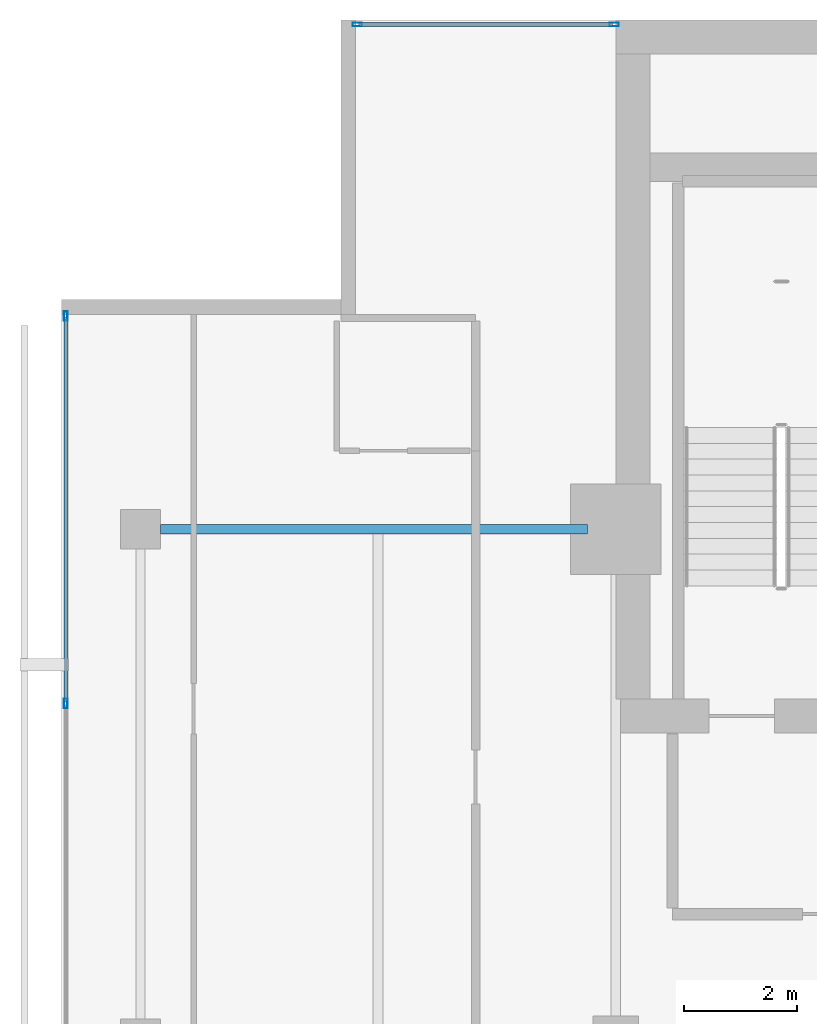
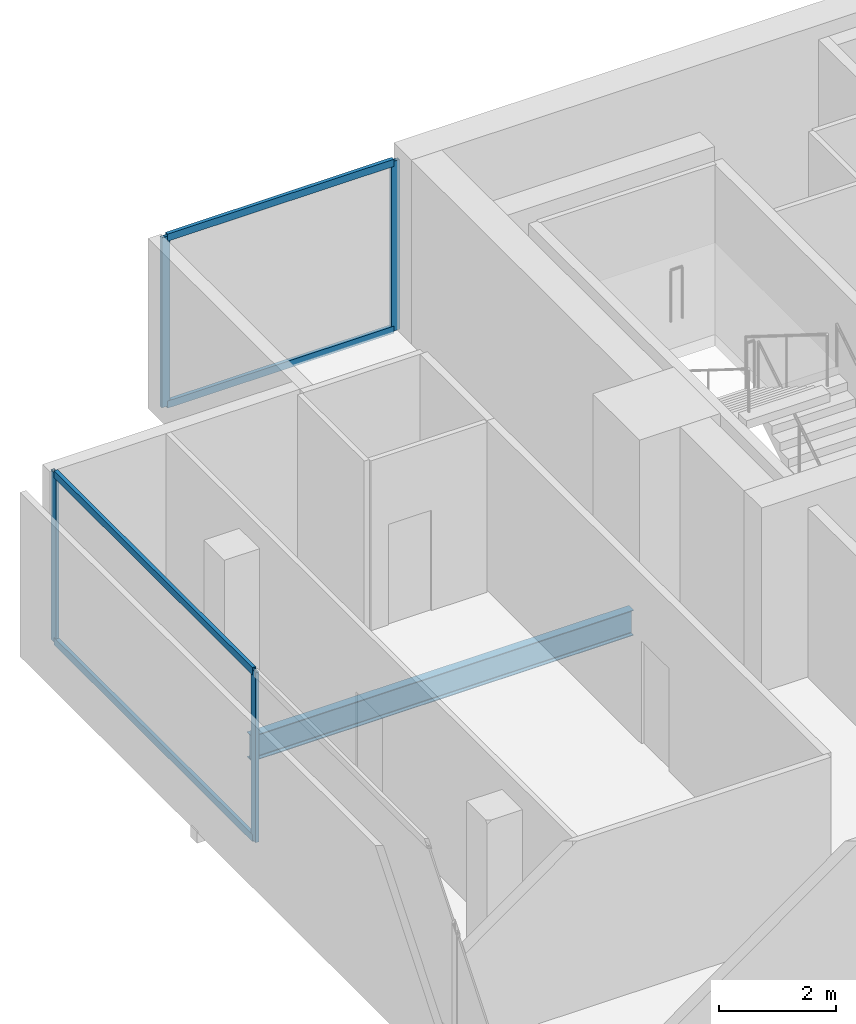
# One storey, part 16 of 26: 8 members, 1 beam, 2 elements without a shape of their own.
"""IFC4 building model written with IfcOpenShell, lengths in metres."""

from ifc_helpers import new_model, si_unit, direction, frame, origin, origin_2d, place, context, subcontext, project, spatial, hollow_rectangle, i_section, extrude, material, layer, layer_set, material_profile, profile_set, type_object, element, aggregate, save


model = new_model("IFC4")

# Units and contexts
model_context = context("Model", 3, precision=1e-05, world=origin(), true_north=direction((0.0, 1.0)))
body_context = subcontext(model_context, "Body", "Model", "MODEL_VIEW")
ifc_project = project(units=[si_unit("LENGTHUNIT", "METRE"), si_unit("AREAUNIT", "SQUARE_METRE"), si_unit("VOLUMEUNIT", "CUBIC_METRE"), si_unit("PLANEANGLEUNIT", "RADIAN"), si_unit("MASSUNIT", "GRAM", prefix="KILO")], contexts=[model_context])

# Site, building, storey
site_placement = place(None, origin())
site = spatial("IfcSite", under=ifc_project, at=site_placement, CompositionType="ELEMENT")
building_placement = place(site_placement, origin())
building = spatial("IfcBuilding", under=site, at=building_placement, Name="Maruvema Waterfront Hotel and Observation Tower", CompositionType="ELEMENT")
storey_placement = place(building_placement, frame((0.0, 0.0, 312.550048828125)))
storey = spatial("IfcBuildingStorey", under=building, at=storey_placement, Name="L77", CompositionType="ELEMENT", Elevation=312.550048828125)

# Curtain wall, members
ifc_material_1 = material(Name="Anodised bronze aluminium and solar-control low-E IGU", Category="aluminium")
ifc_layer = layer(ifc_material_1, 0.159912109375, Name="Zone 3 Champagne Inner Thermal Curtain Wall System CW-04")
ifc_layer_set = layer_set([ifc_layer], Name="Anodised bronze aluminium and solar-control low-E IGU")
curtain_wall_type = type_object("IfcCurtainWallType", Name="Zone 3 Champagne Inner Thermal Curtain Wall System CW-04", PredefinedType="USERDEFINED", material=ifc_layer_set)
curtain_wall_1_placement = place(storey_placement, origin())
curtain_wall_1 = element("IfcCurtainWall", 1, at=curtain_wall_1_placement, inside=storey, type_object=curtain_wall_type, Name="L77 Curtain Wall CW-L77-W", ObjectType="UNITISED CURTAIN WALL", PredefinedType="USERDEFINED")
ifc_material_2 = material(Name="Anodised architectural bronze aluminium", Category="aluminium")
ifc_material_profile_1 = material_profile(ifc_material_2, hollow_rectangle(XDim=0.070068359375, YDim=0.14990234375, WallThickness=0.00390625, at=origin_2d()), Name="ALU-T70x150")
ifc_profile_set_1 = profile_set([ifc_material_profile_1], Name="Anodised architectural bronze aluminium")
member_type_1 = type_object("IfcMemberType", Name="Curtain Wall Horizontal Transom ALU-T70x150", PredefinedType="USERDEFINED", material=ifc_profile_set_1)
member_1_placement = place(storey_placement, frame((15.47998046875, 48.739990234375, 0.030029296875), z_axis=(0.0, -1.0, 0.0), x_axis=(1.0, 0.0, 0.0)))
member_1 = element("IfcMember", 2, at=member_1_placement, type_object=member_type_1, Name="CW-04 transom 1.1", ObjectType="TRANSOM", PredefinedType="USERDEFINED", context=body_context, shape_type="SweptSolid", body=[
    extrude(hollow_rectangle(XDim=0.070068359375, YDim=0.14990234375, WallThickness=0.00390625, at=origin_2d()), origin(), (0.0, 0.0, 1.0), 6.7900390625),
])
member_2_placement = place(storey_placement, frame((15.47998046875, 48.739990234375, 3.52001953125), z_axis=(0.0, -1.0, 0.0), x_axis=(1.0, 0.0, 0.0)))
member_2 = element("IfcMember", 3, at=member_2_placement, type_object=member_type_1, Name="CW-04 transom 1.2", ObjectType="TRANSOM", PredefinedType="USERDEFINED", context=body_context, shape_type="SweptSolid", body=[
    extrude(hollow_rectangle(XDim=0.070068359375, YDim=0.14990234375, WallThickness=0.00390625, at=origin_2d()), origin(), (0.0, 0.0, 1.0), 6.7900390625),
])

curtain_wall_2_placement = place(storey_placement, origin())
curtain_wall_2 = element("IfcCurtainWall", 4, at=curtain_wall_2_placement, inside=storey, type_object=curtain_wall_type, Name="L77 Curtain Wall CW-L77-NW", ObjectType="UNITISED CURTAIN WALL", PredefinedType="USERDEFINED")
member_3_placement = place(storey_placement, frame((25.139892578125, 53.919921875, 0.030029296875), z_axis=(-1.0, 0.0, 0.0), x_axis=(0.0, -1.0, 0.0)))
member_3 = element("IfcMember", 5, at=member_3_placement, type_object=member_type_1, Name="CW-04 transom 1.1", ObjectType="TRANSOM", PredefinedType="USERDEFINED", context=body_context, shape_type="SweptSolid", body=[
    extrude(hollow_rectangle(XDim=0.070068359375, YDim=0.14990234375, WallThickness=0.00390625, at=origin_2d()), origin(), (0.0, 0.0, 1.0), 4.47998046875),
])
member_4_placement = place(storey_placement, frame((25.139892578125, 53.919921875, 3.52001953125), z_axis=(-1.0, 0.0, 0.0), x_axis=(0.0, -1.0, 0.0)))
member_4 = element("IfcMember", 6, at=member_4_placement, type_object=member_type_1, Name="CW-04 transom 1.2", ObjectType="TRANSOM", PredefinedType="USERDEFINED", context=body_context, shape_type="SweptSolid", body=[
    extrude(hollow_rectangle(XDim=0.070068359375, YDim=0.14990234375, WallThickness=0.00390625, at=origin_2d()), origin(), (0.0, 0.0, 1.0), 4.47998046875),
])

# Member
ifc_material_3 = material(Name="Anodised architectural bronze aluminium", Category="aluminium")
ifc_material_profile_2 = material_profile(ifc_material_3, hollow_rectangle(XDim=0.06494140625, YDim=0.1650390625, WallThickness=0.00390625, at=origin_2d()), Name="ALU-M65x165")
ifc_profile_set_2 = profile_set([ifc_material_profile_2], Name="Anodised architectural bronze aluminium")
member_type_2 = type_object("IfcMemberType", Name="Curtain Wall Primary Mullion ALU-M65x165", PredefinedType="MULLION", material=ifc_profile_set_2)
member_5_placement = place(storey_placement, frame((15.47998046875, 48.77001953125, 0.0), z_axis=(0.0, 0.0, 1.0), x_axis=(1.0, 0.0, 0.0)))
member_5 = element("IfcMember", 7, at=member_5_placement, type_object=member_type_2, Name="CW-04 mullion 1", PredefinedType="MULLION", context=body_context, shape_type="SweptSolid", body=[
    extrude(hollow_rectangle(XDim=0.06494140625, YDim=0.1650390625, WallThickness=0.00390625, at=origin_2d()), origin(), (0.0, 0.0, 1.0), 3.550048828125),
])

member_6_placement = place(storey_placement, frame((15.47998046875, 41.919921875, 0.0), z_axis=(0.0, 0.0, 1.0), x_axis=(1.0, 0.0, 0.0)))
member_6 = element("IfcMember", 8, at=member_6_placement, type_object=member_type_2, Name="CW-04 mullion 2", PredefinedType="MULLION", context=body_context, shape_type="SweptSolid", body=[
    extrude(hollow_rectangle(XDim=0.06494140625, YDim=0.1650390625, WallThickness=0.00390625, at=origin_2d()), origin(), (0.0, 0.0, 1.0), 3.550048828125),
])

aggregate(curtain_wall_1, [member_5, member_6, member_1, member_2])

member_7_placement = place(storey_placement, frame((25.169921875, 53.919921875, 0.0), z_axis=(0.0, 0.0, 1.0), x_axis=(0.0, -1.0, 0.0)))
member_7 = element("IfcMember", 9, at=member_7_placement, type_object=member_type_2, Name="CW-04 mullion 1", PredefinedType="MULLION", context=body_context, shape_type="SweptSolid", body=[
    extrude(hollow_rectangle(XDim=0.06494140625, YDim=0.1650390625, WallThickness=0.00390625, at=origin_2d()), origin(), (0.0, 0.0, 1.0), 3.550048828125),
])

member_8_placement = place(storey_placement, frame((20.6298828125, 53.919921875, 0.0), z_axis=(0.0, 0.0, 1.0), x_axis=(0.0, -1.0, 0.0)))
member_8 = element("IfcMember", 10, at=member_8_placement, type_object=member_type_2, Name="CW-04 mullion 2", PredefinedType="MULLION", context=body_context, shape_type="SweptSolid", body=[
    extrude(hollow_rectangle(XDim=0.06494140625, YDim=0.1650390625, WallThickness=0.00390625, at=origin_2d()), origin(), (0.0, 0.0, 1.0), 3.550048828125),
])

aggregate(curtain_wall_2, [member_7, member_8, member_3, member_4])

# Beam
ifc_material_4 = material(Name="Steel ASTM A572 Grade 50", Category="steel")
ifc_material_profile_3 = material_profile(ifc_material_4, i_section(OverallWidth=0.166015625, OverallDepth=0.529052734375, WebThickness=0.009765625, FlangeThickness=0.013671875, FilletRadius=0.014892578125, at=origin_2d()), Name="W530x74.0")
ifc_profile_set_3 = profile_set([ifc_material_profile_3], Name="Steel ASTM A572 Grade 50")
beam_type = type_object("IfcBeamType", Name="Primary Floor Girder W530x74.0", PredefinedType="BEAM", material=ifc_profile_set_3)
beam_placement = place(storey_placement, frame((17.14990234375, 45.0, -0.504638671875), z_axis=(1.0, 0.0, 0.0), x_axis=(0.0, 1.0, 0.0)))
element("IfcBeam", 11, at=beam_placement, inside=storey, type_object=beam_type, Name="L77 Floor Girder EW-17", PredefinedType="BEAM", context=body_context, shape_type="SweptSolid", body=[
    extrude(i_section(OverallWidth=0.166015625, OverallDepth=0.529052734375, WebThickness=0.009765625, FlangeThickness=0.013671875, FilletRadius=0.014892578125, at=origin_2d()), origin(), (0.0, 0.0, 1.0), 7.550048828125),
])

save(model, "model.ifc")
